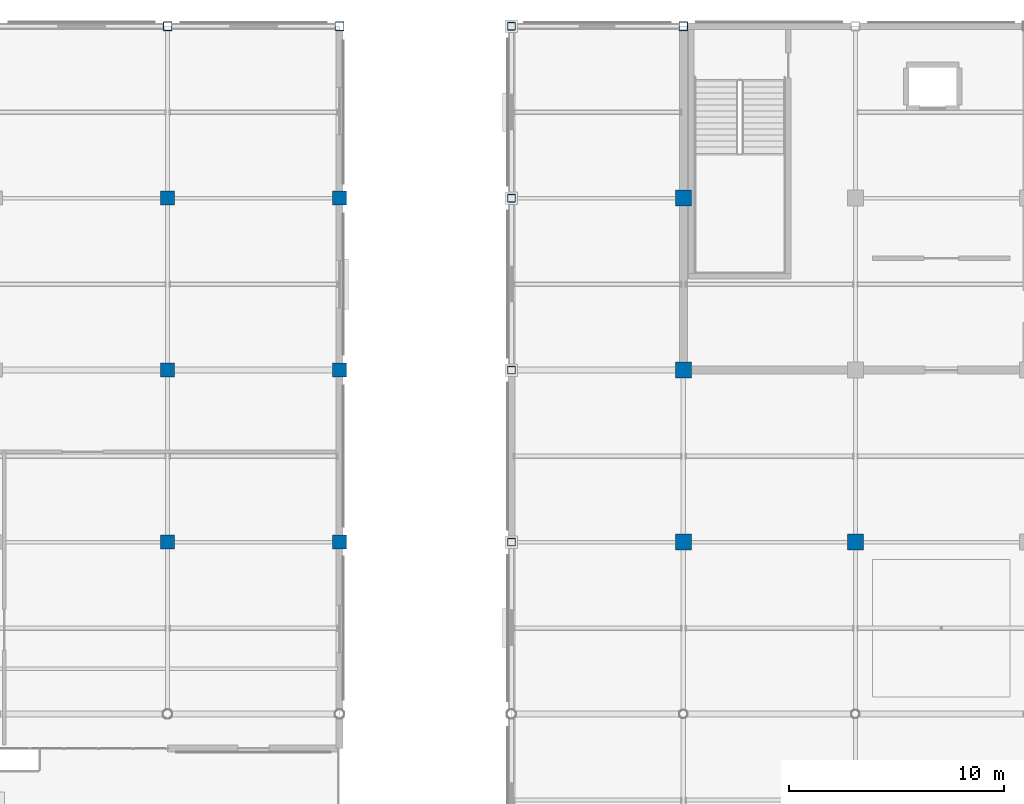
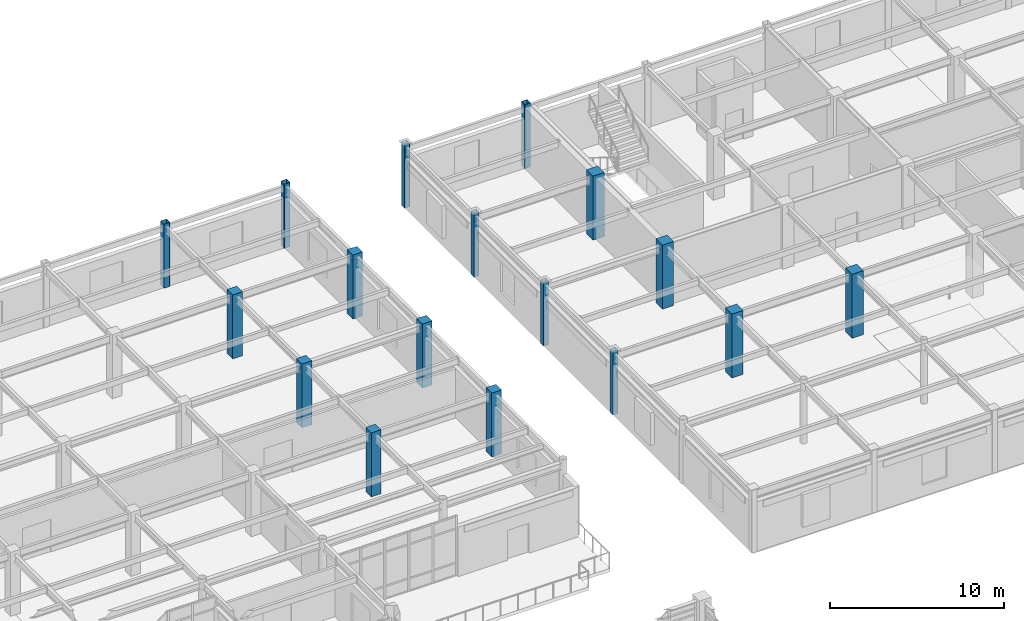
# One storey, part 14 of 93: 17 columns.
"""IFC4 building model written with IfcOpenShell, lengths in metres."""

from ifc_helpers import new_model, si_unit, direction, frame, origin, origin_2d, place, context, subcontext, project, spatial, rectangle, hollow_rectangle, extrude, material, material_profile, profile_set, type_object, element, save


model = new_model("IFC4")

# Units and contexts
model_context = context("Model", 3, precision=1e-05, world=origin(), true_north=direction((0.0, 1.0)))
body_context = subcontext(model_context, "Body", "Model", "MODEL_VIEW")
ifc_project = project(units=[si_unit("LENGTHUNIT", "METRE"), si_unit("AREAUNIT", "SQUARE_METRE"), si_unit("VOLUMEUNIT", "CUBIC_METRE"), si_unit("PLANEANGLEUNIT", "RADIAN"), si_unit("MASSUNIT", "GRAM", prefix="KILO")], contexts=[model_context])

# Site, building, storey
site_placement = place(None, origin())
site = spatial("IfcSite", under=ifc_project, at=site_placement, CompositionType="ELEMENT")
building_placement = place(site_placement, origin())
building = spatial("IfcBuilding", under=site, at=building_placement, Name="Solmirada Galleria", CompositionType="ELEMENT")
storey_placement = place(building_placement, frame((0.0, 0.0, 14.89990234375)))
storey = spatial("IfcBuildingStorey", under=building, at=storey_placement, Name="L03", CompositionType="ELEMENT", Elevation=14.89990234375)

# Columns
ifc_material_1 = material(Name="Steel S355 / ASTM A500 Grade C", Category="steel")
ifc_material_profile_1 = material_profile(ifc_material_1, hollow_rectangle(XDim=0.35595703125, YDim=0.35595703125, WallThickness=0.01171875, InnerFilletRadius=0.01171875, OuterFilletRadius=0.023681640625, at=origin_2d()), Name="HSS14X14X1/2")
ifc_profile_set_1 = profile_set([ifc_material_profile_1], Name="Steel S355 / ASTM A500 Grade C")
column_type_1 = type_object("IfcColumnType", Name="COL-HSS14", PredefinedType="COLUMN", material=ifc_profile_set_1)
for number, where, z_axis, x_axis, name in (
    (1, (120.0, 96.0, 0.0), (0.0, 0.0, 1.0), (1.0, 0.0, 0.0), "Structural column L03-0987"),
    (2, (120.0, 104.0, 0.0), (0.0, 0.0, 1.0), (1.0, 0.0, 0.0), "Structural column L03-0992"),
    (3, (120.0, 112.0, 0.0), (0.0, 0.0, 1.0), (1.0, 0.0, 0.0), "Structural column L03-0997"),
    (4, (120.0, 120.0, 0.0), (0.0, 0.0, 1.0), (1.0, 0.0, 0.0), "Structural column L03-1002"),
):
    element("IfcColumn", number, at=place(storey_placement, frame(where, z_axis=z_axis, x_axis=x_axis)), inside=storey, type_object=column_type_1, Name=name, PredefinedType="COLUMN", context=body_context, shape_type="SweptSolid", body=[
        extrude(hollow_rectangle(XDim=0.35595703125, YDim=0.35595703125, WallThickness=0.01171875, InnerFilletRadius=0.01171875, OuterFilletRadius=0.023681640625, at=origin_2d()), origin(), (0.0, 0.0, 1.0), 4.5),
    ])
ifc_material_profile_2 = material_profile(ifc_material_1, hollow_rectangle(XDim=0.406005859375, YDim=0.406005859375, WallThickness=0.0146484375, InnerFilletRadius=0.0146484375, OuterFilletRadius=0.029296875, at=origin_2d()), Name="HSS16X16X5/8")
ifc_profile_set_2 = profile_set([ifc_material_profile_2], Name="Steel S355 / ASTM A500 Grade C")
column_type_2 = type_object("IfcColumnType", Name="COL-HSS16", PredefinedType="COLUMN", material=ifc_profile_set_2)
for number, where, z_axis, x_axis, name in (
    (5, (104.0, 120.0, 0.0), (0.0, 0.0, 1.0), (1.0, 0.0, 0.0), "Structural column L03-0800"),
    (6, (112.0, 120.0, 0.0), (0.0, 0.0, 1.0), (1.0, 0.0, 0.0), "Structural column L03-0917"),
    (7, (128.0, 120.0, 0.0), (0.0, 0.0, 1.0), (1.0, 0.0, 0.0), "Structural column L03-1099"),
):
    element("IfcColumn", number, at=place(storey_placement, frame(where, z_axis=z_axis, x_axis=x_axis)), inside=storey, type_object=column_type_2, Name=name, PredefinedType="COLUMN", context=body_context, shape_type="SweptSolid", body=[
        extrude(hollow_rectangle(XDim=0.406005859375, YDim=0.406005859375, WallThickness=0.0146484375, InnerFilletRadius=0.0146484375, OuterFilletRadius=0.029296875, at=origin_2d()), origin(), (0.0, 0.0, 1.0), 4.5),
    ])
ifc_material_2 = material(Name="Concrete C40/50", Category="concrete")
ifc_material_profile_3 = material_profile(ifc_material_2, rectangle(XDim=0.64990234375, YDim=0.64990234375, at=origin_2d()), Name="RC650X650")
ifc_profile_set_3 = profile_set([ifc_material_profile_3], Name="Concrete C40/50")
column_type_3 = type_object("IfcColumnType", Name="COL-RC650", PredefinedType="COLUMN", material=ifc_profile_set_3)
for number, where, z_axis, x_axis, name in (
    (8, (104.0, 96.0, 0.0), (0.0, 0.0, 1.0), (1.0, 0.0, 0.0), "Structural column L03-0779"),
    (9, (104.0, 104.0, 0.0), (0.0, 0.0, 1.0), (1.0, 0.0, 0.0), "Structural column L03-0786"),
    (10, (104.0, 112.0, 0.0), (0.0, 0.0, 1.0), (1.0, 0.0, 0.0), "Structural column L03-0793"),
    (11, (112.0, 96.0, 0.0), (0.0, 0.0, 1.0), (1.0, 0.0, 0.0), "Structural column L03-0896"),
    (12, (112.0, 104.0, 0.0), (0.0, 0.0, 1.0), (1.0, 0.0, 0.0), "Structural column L03-0903"),
    (13, (112.0, 112.0, 0.0), (0.0, 0.0, 1.0), (1.0, 0.0, 0.0), "Structural column L03-0910"),
):
    element("IfcColumn", number, at=place(storey_placement, frame(where, z_axis=z_axis, x_axis=x_axis)), inside=storey, type_object=column_type_3, Name=name, PredefinedType="COLUMN", context=body_context, shape_type="SweptSolid", body=[
        extrude(rectangle(XDim=0.64990234375, YDim=0.64990234375, at=origin_2d()), origin(), (0.0, 0.0, 1.0), 4.5),
    ])
ifc_material_profile_4 = material_profile(ifc_material_2, rectangle(XDim=0.75, YDim=0.75, at=origin_2d()), Name="RC750X750")
ifc_profile_set_4 = profile_set([ifc_material_profile_4], Name="Concrete C40/50")
column_type_4 = type_object("IfcColumnType", Name="COL-RC750", PredefinedType="COLUMN", material=ifc_profile_set_4)
for number, where, z_axis, x_axis, name in (
    (14, (128.0, 96.0, 0.0), (0.0, 0.0, 1.0), (1.0, 0.0, 0.0), "Structural column L03-1072"),
    (15, (128.0, 104.0, 0.0), (0.0, 0.0, 1.0), (1.0, 0.0, 0.0), "Structural column L03-1081"),
    (16, (128.0, 112.0, 0.0), (0.0, 0.0, 1.0), (1.0, 0.0, 0.0), "Structural column L03-1090"),
    (17, (136.0, 96.0, 0.0), (0.0, 0.0, 1.0), (1.0, 0.0, 0.0), "Structural column L03-1173"),
):
    element("IfcColumn", number, at=place(storey_placement, frame(where, z_axis=z_axis, x_axis=x_axis)), inside=storey, type_object=column_type_4, Name=name, PredefinedType="COLUMN", context=body_context, shape_type="SweptSolid", body=[
        extrude(rectangle(XDim=0.75, YDim=0.75, at=origin_2d()), origin(), (0.0, 0.0, 1.0), 4.5),
    ])

save(model, "model.ifc")
